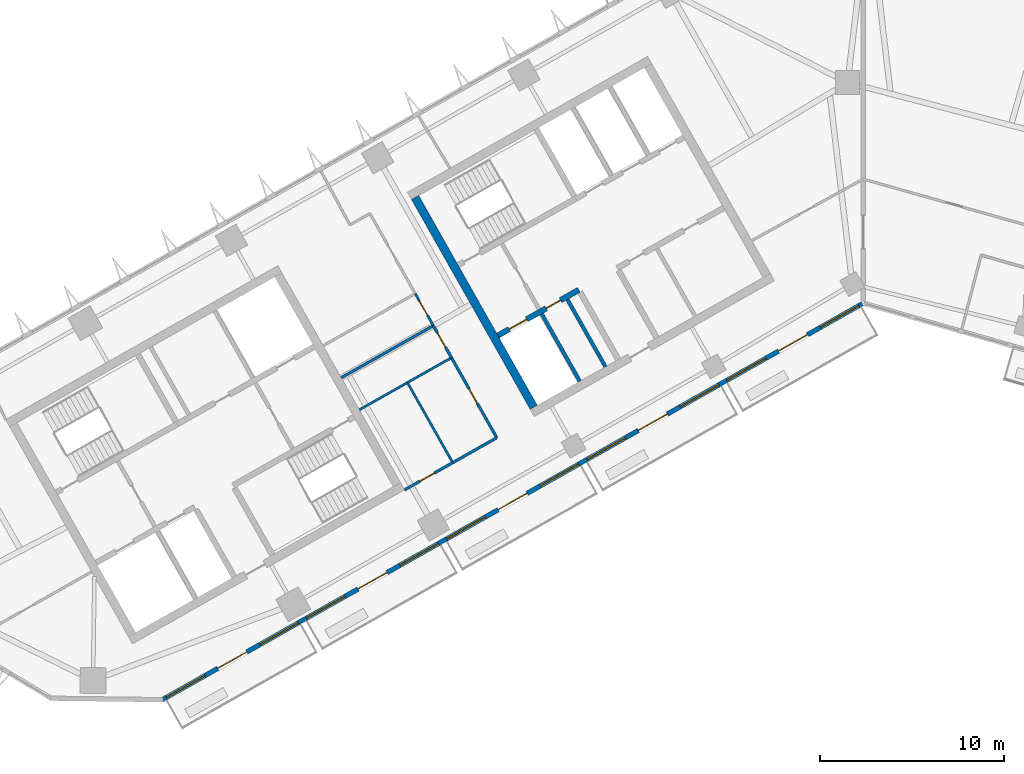
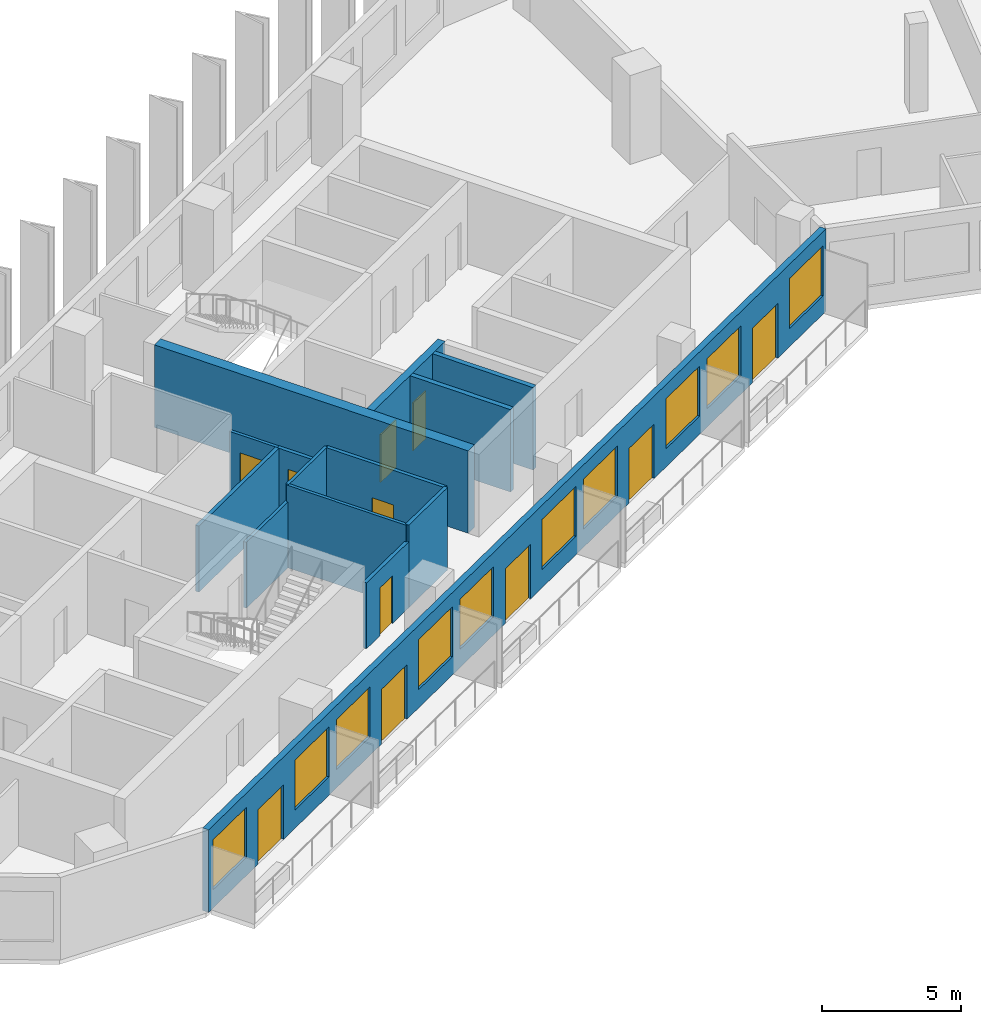
# One storey, part 5 of 12: 14 walls, 11 doors, 10 windows, 21 openings.
"""IFC4 building model written with IfcOpenShell, lengths in metres."""

import ifcopenshell
import ifcopenshell.guid

model = None  # the IFC model being written
_history = None  # IfcOwnerHistory: only IFC2X3 demands one
_inside = {}  # id of a spatial element -> (the spatial element, [elements in it])
_under = {}  # id of a project, library or spatial element -> (it, [spatial elements below it])
_declared = {}  # id of a project -> (the project, [libraries it declares])
_typed = {}  # id of a type object -> (the type object, [elements of that type])
_made_of = {}  # id of a material, layer set ... -> (it, [elements and type objects made of it])


def new_model(schema):
    """Start an empty IFC model of exactly this schema.

    Asked for "IFC4X3", IfcOpenShell would pick the latest addendum, in which some entities
    have other attributes; the version numbers below select the first issue.
    IFC2X3 requires an IfcOwnerHistory on every rooted entity: one is made here for all.
    """
    global model, _history
    if schema == "IFC4X3":
        model = ifcopenshell.file(schema_version=(4, 3, 0, 0))
    else:
        model = ifcopenshell.file(schema=schema)
    _inside.clear()
    _under.clear()
    _declared.clear()
    _typed.clear()
    _made_of.clear()
    _history = None
    if model.schema == "IFC2X3":
        org = make("IfcOrganization", Name="unknown")
        user = make(
            "IfcPersonAndOrganization",
            ThePerson=make("IfcPerson", FamilyName="unknown"),
            TheOrganization=org,
        )
        app = make(
            "IfcApplication",
            ApplicationDeveloper=org,
            Version="unknown",
            ApplicationFullName="unknown",
            ApplicationIdentifier="unknown",
        )
        _history = make(
            "IfcOwnerHistory",
            OwningUser=user,
            OwningApplication=app,
            ChangeAction="ADDED",
            CreationDate=0,
        )
    return model


def make(cls, **values):
    """One entity of the class cls with the attributes given. An attribute that is None is left unset."""
    return model.create_entity(
        cls, **{name: value for name, value in values.items() if value is not None}
    )


def rooted(cls, **values):
    """An entity with a GlobalId (a new one), such as an element, a storey or a relation."""
    return make(cls, GlobalId=ifcopenshell.guid.new(), OwnerHistory=_history, **values)


def si_unit(unit_type, name, prefix=None):
    """IfcSIUnit, for example si_unit("LENGTHUNIT", "METRE", prefix="MILLI")."""
    return make("IfcSIUnit", UnitType=unit_type, Prefix=prefix, Name=name)


def assignment(units):
    """IfcUnitAssignment: the units of a project."""
    return None if units is None else make("IfcUnitAssignment", Units=units)


def point(xyz):
    """IfcCartesianPoint."""
    return None if xyz is None else make("IfcCartesianPoint", Coordinates=xyz)


def direction(xyz):
    """IfcDirection."""
    return None if xyz is None else make("IfcDirection", DirectionRatios=xyz)


def frame(location, z_axis=None, x_axis=None):
    """IfcAxis2Placement3D, a coordinate frame: its origin and axes. An axis left out is left unset."""
    return make(
        "IfcAxis2Placement3D",
        Location=point(location),
        Axis=direction(z_axis),
        RefDirection=direction(x_axis),
    )


def frame_2d(location, x_axis=None):
    """IfcAxis2Placement2D, a coordinate frame in the plane: its origin and x axis."""
    return make(
        "IfcAxis2Placement2D", Location=point(location), RefDirection=direction(x_axis)
    )


def origin():
    """The frame at (0, 0, 0) with its axes left unset."""
    return frame((0.0, 0.0, 0.0))


def place(relative_to, where):
    """IfcLocalPlacement: puts the frame where relative to a parent placement (None: the world)."""
    return make(
        "IfcLocalPlacement", PlacementRelTo=relative_to, RelativePlacement=where
    )


def context(
    kind, dimensions, precision=None, world=None, true_north=None, identifier=None
):
    """IfcGeometricRepresentationContext, for example the 3D "Model" context."""
    return make(
        "IfcGeometricRepresentationContext",
        ContextIdentifier=identifier,
        ContextType=kind,
        CoordinateSpaceDimension=dimensions,
        Precision=precision,
        WorldCoordinateSystem=world,
        TrueNorth=true_north,
    )


def subcontext(parent, identifier, kind, view, scale=None):
    """IfcGeometricRepresentationSubContext, for example "Body" below "Model"."""
    return make(
        "IfcGeometricRepresentationSubContext",
        ContextIdentifier=identifier,
        ContextType=kind,
        ParentContext=parent,
        TargetScale=scale,
        TargetView=view,
    )


def project(units=None, contexts=None):
    """IfcProject with its units and contexts."""
    return rooted(
        "IfcProject",
        Name="project",
        RepresentationContexts=contexts,
        UnitsInContext=assignment(units),
    )


def spatial(cls, under=None, at=None, **own):
    """A site, building, storey or space (cls), placed at a placement, below another one or the project."""
    s = rooted(cls, ObjectPlacement=at, **own)
    if under is not None:
        _under.setdefault(under.id(), (under, []))[1].append(s)
    return s


def profile(cls, at=None, kind="AREA", **sizes):
    """A parametric profile (cls). Its sizes go by their IFC names, for example OverallWidth=200.0."""
    return make(cls, ProfileType=kind, Position=at, **sizes)


def rectangle(**sizes):
    """IfcRectangleProfileDef."""
    return profile("IfcRectangleProfileDef", **sizes)


def extrude(swept, where, along, depth):
    """IfcExtrudedAreaSolid: the profile swept, set in the frame where, extruded along a direction by depth."""
    return make(
        "IfcExtrudedAreaSolid",
        SweptArea=swept,
        Position=where,
        ExtrudedDirection=direction(along),
        Depth=depth,
    )


def shape(context_of_items, identifier, shape_type, items):
    """IfcShapeRepresentation: the items that make up one representation, for example the "Body"."""
    return make(
        "IfcShapeRepresentation",
        ContextOfItems=context_of_items,
        RepresentationIdentifier=identifier,
        RepresentationType=shape_type,
        Items=items,
    )


def material(Name=None, Category=None):
    """IfcMaterial."""
    return make("IfcMaterial", Name=Name, Category=Category)


def layer(
    of_material, thickness, ventilated=None, Name=None, Category=None, Priority=None
):
    """IfcMaterialLayer: one layer of a wall or slab, of a material (None: an air gap)."""
    return make(
        "IfcMaterialLayer",
        Material=of_material,
        LayerThickness=thickness,
        IsVentilated=ventilated,
        Name=Name,
        Category=Category,
        Priority=Priority,
    )


def layer_set(layers, Name=None):
    """IfcMaterialLayerSet."""
    return make("IfcMaterialLayerSet", MaterialLayers=layers, LayerSetName=Name)


def made_of(thing, what):
    """Note that an element or type object is made of a material, layer set ...; save() writes the relation."""
    if what is not None:
        _made_of.setdefault(what.id(), (what, []))[1].append(thing)
    return thing


def type_object(cls, material=None, **own):
    """A type object (cls), such as IfcWallType, which elements share."""
    return made_of(rooted(cls, **own), material)


def element(
    cls,
    number,
    at=None,
    inside=None,
    cuts=None,
    type_object=None,
    material=None,
    context=None,
    identifier="Body",
    shape_type=None,
    held_by="IfcProductDefinitionShape",
    body=None,
    shapes=None,
    **own,
):
    """One element of the class cls, such as IfcWall. Its Tag is "e" and its number.

    at: its placement. inside: the storey or other place that contains it. cuts: it is an
    opening in that element (IfcRelVoidsElement). A single representation is given by context,
    identifier, shape_type and body (its items); several are given by shapes. held_by: the class
    of the entity that holds the representations. save() writes the other relations.
    """
    e = rooted(cls, Tag="e%d" % number, ObjectPlacement=at, **own)
    if body is not None:
        shapes = [shape(context, identifier, shape_type, body)]
    if shapes is not None:
        e.Representation = make(held_by, Representations=shapes)
    if inside is not None:
        _inside.setdefault(inside.id(), (inside, []))[1].append(e)
    if cuts is not None:
        rooted(
            "IfcRelVoidsElement", RelatingBuildingElement=cuts, RelatedOpeningElement=e
        )
    if type_object is not None:
        _typed.setdefault(type_object.id(), (type_object, []))[1].append(e)
    return made_of(e, material)


def fill(opening, filler):
    """IfcRelFillsElement: the door or window that sits in an opening."""
    return rooted(
        "IfcRelFillsElement",
        RelatingOpeningElement=opening,
        RelatedBuildingElement=filler,
    )


def aggregate(whole, parts):
    """IfcRelAggregates: a whole, such as a stair, and the parts it consists of."""
    return rooted("IfcRelAggregates", RelatingObject=whole, RelatedObjects=parts)


def save(model, path):
    """Write the relations noted so far, then the file.

    IfcRelAggregates (storeys below a building ...), IfcRelContainedInSpatialStructure (elements
    in a storey), IfcRelDefinesByType, IfcRelAssociatesMaterial and IfcRelDeclares: one each for
    every whole, place, type object, material and project.
    """
    for whole, parts in _under.values():
        aggregate(whole, parts)
    for where, things in _inside.values():
        rooted(
            "IfcRelContainedInSpatialStructure",
            RelatedElements=things,
            RelatingStructure=where,
        )
    for kind, things in _typed.values():
        rooted("IfcRelDefinesByType", RelatedObjects=things, RelatingType=kind)
    for what, things in _made_of.values():
        rooted("IfcRelAssociatesMaterial", RelatedObjects=things, RelatingMaterial=what)
    for by, libraries in _declared.values():
        rooted("IfcRelDeclares", RelatingContext=by, RelatedDefinitions=libraries)
    model.write(path)


model = new_model("IFC4")

# Units and contexts
model_context = context("Model", 3, precision=1e-05, world=origin(), true_north=direction((0.0, 1.0)))
body_context = subcontext(model_context, "Body", "Model", "MODEL_VIEW")
ifc_project = project(units=[si_unit("LENGTHUNIT", "METRE"), si_unit("AREAUNIT", "SQUARE_METRE"), si_unit("VOLUMEUNIT", "CUBIC_METRE"), si_unit("PLANEANGLEUNIT", "RADIAN"), si_unit("MASSUNIT", "GRAM", prefix="KILO")], contexts=[model_context])

# Site, building, storey
site_placement = place(None, origin())
site = spatial("IfcSite", under=ifc_project, at=site_placement, CompositionType="ELEMENT")
building_placement = place(site_placement, origin())
building = spatial("IfcBuilding", under=site, at=building_placement, Name="Binnacle Exchange Tower", CompositionType="ELEMENT")
storey_placement = place(building_placement, frame((0.0, 0.0, 215.300048828125)))
storey = spatial("IfcBuildingStorey", under=building, at=storey_placement, Name="L47", CompositionType="ELEMENT", Elevation=215.300048828125)

# Wall, openings, doors
ifc_material_1 = material(Name="Concrete C70/85", Category="concrete")
ifc_layer_1 = layer(ifc_material_1, 0.300048828125)
ifc_layer_set_1 = layer_set([ifc_layer_1], Name="Core wall - front 300")
wall_type_1 = type_object("IfcWallType", Name="Core wall - front 300", PredefinedType="SOLIDWALL", material=ifc_layer_set_1)
wall_1_placement = place(storey_placement, frame((-19.8486328125, 46.242431640625, 0.0), z_axis=(0.0, 0.0, 1.0), x_axis=(0.870347559728, 0.492437940532, 0.0)))
wall_1 = element("IfcWall", 1, at=wall_1_placement, inside=storey, type_object=wall_type_1, Name="Core wall CRWC2", PredefinedType="SOLIDWALL", context=body_context, shape_type="SweptSolid", body=[
    extrude(rectangle(XDim=5.050048828125, YDim=0.300048828125, at=frame_2d((2.52490234375, 0.0))), origin(), (0.0, 0.0, 1.0), 3.619873046875),
])
opening_1_placement = place(wall_1_placement, frame((0.7001953125, 0.0, 0.0)))
opening_1 = element("IfcOpeningElement", 2, at=opening_1_placement, cuts=wall_1, Name="Opening LD14", PredefinedType="OPENING", context=body_context, shape_type="SweptSolid", body=[
    extrude(rectangle(XDim=1.10009765625, YDim=2.10009765625, at=frame_2d((0.550048828125, 1.050048828125))), frame((0.0, 0.159912109375, 0.0), z_axis=(0.0, -1.0, 0.0), x_axis=(1.0, 0.0, 0.0)), (0.0, 0.0, 1.0), 0.320068359375),
])
opening_2_placement = place(wall_1_placement, frame((3.0, 0.0, 0.0)))
opening_2 = element("IfcOpeningElement", 3, at=opening_2_placement, cuts=wall_1, Name="Opening DC14", PredefinedType="OPENING", context=body_context, shape_type="SweptSolid", body=[
    extrude(rectangle(XDim=0.89990234375, YDim=2.10009765625, at=frame_2d((0.449951171875, 1.050048828125))), frame((0.0, 0.159912109375, 0.0), z_axis=(0.0, -1.0, 0.0), x_axis=(1.0, 0.0, 0.0)), (0.0, 0.0, 1.0), 0.320068359375),
])
ifc_material_2 = material(Name="Steel door leaf", Category="steel")
door_type_1 = type_object("IfcDoorType", Name="Fire door - lift landing 1100", OperationType="NOTDEFINED", PredefinedType="DOOR", material=ifc_material_2)
door_1_placement = place(opening_1_placement, origin())
door_1 = element("IfcDoor", 4, at=door_1_placement, inside=storey, type_object=door_type_1, Name="Landing door LD14 L47", OperationType="DOUBLE_DOOR_SLIDING", OverallHeight=2.10009765625, OverallWidth=1.10009765625, PredefinedType="DOOR", context=body_context, shape_type="SweptSolid", body=[
    extrude(rectangle(XDim=1.10009765625, YDim=2.10009765625, at=frame_2d((0.550048828125, 1.050048828125))), frame((0.0, 0.02490234375, 0.0), z_axis=(0.0, -1.0, 0.0), x_axis=(1.0, 0.0, 0.0)), (0.0, 0.0, 1.0), 0.050048828125),
])
fill(opening_1, door_1)
door_type_2 = type_object("IfcDoorType", Name="Fire door 900", OperationType="NOTDEFINED", PredefinedType="DOOR", material=ifc_material_2)
door_2_placement = place(opening_2_placement, frame((0.89990234375, 0.0, 0.0), z_axis=(0.0, 0.0, 1.0), x_axis=(-1.0, 0.0, 0.0)))
door_2 = element("IfcDoor", 5, at=door_2_placement, inside=storey, type_object=door_type_2, Name="Core room door ELECTRICAL ROOM", OperationType="SINGLE_SWING_LEFT", OverallHeight=2.10009765625, OverallWidth=0.89990234375, PredefinedType="DOOR", context=body_context, shape_type="SweptSolid", body=[
    extrude(rectangle(XDim=0.89990234375, YDim=2.10009765625, at=frame_2d((0.449951171875, 1.050048828125))), frame((0.0, 0.02490234375, 0.0), z_axis=(0.0, -1.0, 0.0), x_axis=(1.0, 0.0, 0.0)), (0.0, 0.0, 1.0), 0.050048828125),
])
fill(opening_2, door_2)

# Wall
ifc_layer_2 = layer(ifc_material_1, 0.449951171875)
ifc_layer_set_2 = layer_set([ifc_layer_2], Name="Core wall - outer 450")
wall_type_2 = type_object("IfcWallType", Name="Core wall - outer 450", PredefinedType="SOLIDWALL", material=ifc_layer_set_2)
wall_2_placement = place(storey_placement, frame((-24.353271484375, 53.747314453125, 0.0), z_axis=(0.0, 0.0, 1.0), x_axis=(0.492435496286, -0.870348942665, 0.0)))
element("IfcWall", 6, at=wall_2_placement, inside=storey, type_object=wall_type_2, Name="Core wall CRWC7", PredefinedType="SOLIDWALL", context=body_context, shape_type="SweptSolid", body=[
    extrude(rectangle(XDim=13.10009765625, YDim=0.449951171875, at=frame_2d((6.550048828125, 0.0))), origin(), (0.0, 0.0, 1.0), 3.619873046875),
])

# Wall, openings, doors, windows
ifc_material_3 = material(Name="Bronze aluminium cladding", Category="aluminium")
ifc_layer_3 = layer(ifc_material_3, 0.25)
ifc_layer_set_3 = layer_set([ifc_layer_3], Name="External wall - window wall 250")
wall_type_3 = type_object("IfcWallType", Name="External wall - window wall 250", PredefinedType="STANDARD", material=ifc_layer_set_3)
wall_3_placement = place(storey_placement, frame((-0.045654296875, 47.97412109375, 0.0), z_axis=(0.0, 0.0, 1.0), x_axis=(-0.870356579543, -0.492421998337, 0.0)))
wall_3 = element("IfcWall", 7, at=wall_3_placement, inside=storey, type_object=wall_type_3, Name="External wall EW-G01 L47", PredefinedType="STANDARD", context=body_context, shape_type="SweptSolid", body=[
    extrude(rectangle(XDim=43.75390625, YDim=0.25, at=frame_2d((21.876953125, 0.0))), origin(), (0.0, 0.0, 1.0), 3.619873046875),
])
opening_3_placement = place(wall_3_placement, frame((41.061279296875, 0.0, 0.800048828125)))
opening_3 = element("IfcOpeningElement", 8, at=opening_3_placement, cuts=wall_3, Name="Opening WR1", PredefinedType="OPENING", context=body_context, shape_type="SweptSolid", body=[
    extrude(rectangle(XDim=2.39990234375, YDim=2.199951171875, at=frame_2d((1.199951171875, 1.10009765625))), frame((0.0, 0.135009765625, 0.0), z_axis=(0.0, -1.0, 0.0), x_axis=(1.0, 0.0, 0.0)), (0.0, 0.0, 1.0), 0.27001953125),
])
opening_4_placement = place(wall_3_placement, frame((38.443115234375, 0.0, 0.0)))
opening_4 = element("IfcOpeningElement", 9, at=opening_4_placement, cuts=wall_3, Name="Opening D-FS13-01", PredefinedType="OPENING", context=body_context, shape_type="SweptSolid", body=[
    extrude(rectangle(XDim=1.800048828125, YDim=2.39990234375, at=frame_2d((0.89990234375, 1.199951171875))), frame((0.0, 0.135009765625, 0.0), z_axis=(0.0, -1.0, 0.0), x_axis=(1.0, 0.0, 0.0)), (0.0, 0.0, 1.0), 0.27001953125),
])
opening_5_placement = place(wall_3_placement, frame((35.224853515625, 0.0, 0.800048828125)))
opening_5 = element("IfcOpeningElement", 10, at=opening_5_placement, cuts=wall_3, Name="Opening WR1", PredefinedType="OPENING", context=body_context, shape_type="SweptSolid", body=[
    extrude(rectangle(XDim=2.39990234375, YDim=2.199951171875, at=frame_2d((1.199951171875, 1.10009765625))), frame((0.0, 0.135009765625, 0.0), z_axis=(0.0, -1.0, 0.0), x_axis=(1.0, 0.0, 0.0)), (0.0, 0.0, 1.0), 0.27001953125),
])
opening_6_placement = place(wall_3_placement, frame((32.306640625, 0.0, 0.800048828125)))
opening_6 = element("IfcOpeningElement", 11, at=opening_6_placement, cuts=wall_3, Name="Opening WR1", PredefinedType="OPENING", context=body_context, shape_type="SweptSolid", body=[
    extrude(rectangle(XDim=2.39990234375, YDim=2.199951171875, at=frame_2d((1.199951171875, 1.10009765625))), frame((0.0, 0.135009765625, 0.0), z_axis=(0.0, -1.0, 0.0), x_axis=(1.0, 0.0, 0.0)), (0.0, 0.0, 1.0), 0.27001953125),
])
opening_7_placement = place(wall_3_placement, frame((29.6884765625, 0.0, 0.0)))
opening_7 = element("IfcOpeningElement", 12, at=opening_7_placement, cuts=wall_3, Name="Opening D-FS13-02", PredefinedType="OPENING", context=body_context, shape_type="SweptSolid", body=[
    extrude(rectangle(XDim=1.800048828125, YDim=2.39990234375, at=frame_2d((0.89990234375, 1.199951171875))), frame((0.0, 0.135009765625, 0.0), z_axis=(0.0, -1.0, 0.0), x_axis=(1.0, 0.0, 0.0)), (0.0, 0.0, 1.0), 0.27001953125),
])
opening_8_placement = place(wall_3_placement, frame((26.47021484375, 0.0, 0.800048828125)))
opening_8 = element("IfcOpeningElement", 13, at=opening_8_placement, cuts=wall_3, Name="Opening WR1", PredefinedType="OPENING", context=body_context, shape_type="SweptSolid", body=[
    extrude(rectangle(XDim=2.39990234375, YDim=2.199951171875, at=frame_2d((1.199951171875, 1.10009765625))), frame((0.0, 0.135009765625, 0.0), z_axis=(0.0, -1.0, 0.0), x_axis=(1.0, 0.0, 0.0)), (0.0, 0.0, 1.0), 0.27001953125),
])
opening_9_placement = place(wall_3_placement, frame((23.552001953125, 0.0, 0.800048828125)))
opening_9 = element("IfcOpeningElement", 14, at=opening_9_placement, cuts=wall_3, Name="Opening WR1", PredefinedType="OPENING", context=body_context, shape_type="SweptSolid", body=[
    extrude(rectangle(XDim=2.39990234375, YDim=2.199951171875, at=frame_2d((1.199951171875, 1.10009765625))), frame((0.0, 0.135009765625, 0.0), z_axis=(0.0, -1.0, 0.0), x_axis=(1.0, 0.0, 0.0)), (0.0, 0.0, 1.0), 0.27001953125),
])
opening_10_placement = place(wall_3_placement, frame((20.93408203125, 0.0, 0.0)))
opening_10 = element("IfcOpeningElement", 15, at=opening_10_placement, cuts=wall_3, Name="Opening D-FS13-03", PredefinedType="OPENING", context=body_context, shape_type="SweptSolid", body=[
    extrude(rectangle(XDim=1.7998046875, YDim=2.39990234375, at=frame_2d((0.89990234375, 1.199951171875))), frame((0.0, 0.135009765625, 0.0), z_axis=(0.0, -1.0, 0.0), x_axis=(1.0, 0.0, 0.0)), (0.0, 0.0, 1.0), 0.27001953125),
])
opening_11_placement = place(wall_3_placement, frame((17.7158203125, 0.0, 0.800048828125)))
opening_11 = element("IfcOpeningElement", 16, at=opening_11_placement, cuts=wall_3, Name="Opening WR1", PredefinedType="OPENING", context=body_context, shape_type="SweptSolid", body=[
    extrude(rectangle(XDim=2.39990234375, YDim=2.199951171875, at=frame_2d((1.199951171875, 1.10009765625))), frame((0.0, 0.135009765625, 0.0), z_axis=(0.0, -1.0, 0.0), x_axis=(1.0, 0.0, 0.0)), (0.0, 0.0, 1.0), 0.27001953125),
])
opening_12_placement = place(wall_3_placement, frame((14.797607421875, 0.0, 0.800048828125)))
opening_12 = element("IfcOpeningElement", 17, at=opening_12_placement, cuts=wall_3, Name="Opening WR1", PredefinedType="OPENING", context=body_context, shape_type="SweptSolid", body=[
    extrude(rectangle(XDim=2.39990234375, YDim=2.199951171875, at=frame_2d((1.199951171875, 1.10009765625))), frame((0.0, 0.135009765625, 0.0), z_axis=(0.0, -1.0, 0.0), x_axis=(1.0, 0.0, 0.0)), (0.0, 0.0, 1.0), 0.27001953125),
])
opening_13_placement = place(wall_3_placement, frame((12.179443359375, 0.0, 0.0)))
opening_13 = element("IfcOpeningElement", 18, at=opening_13_placement, cuts=wall_3, Name="Opening D-FS13-04", PredefinedType="OPENING", context=body_context, shape_type="SweptSolid", body=[
    extrude(rectangle(XDim=1.800048828125, YDim=2.39990234375, at=frame_2d((0.89990234375, 1.199951171875))), frame((0.0, 0.135009765625, 0.0), z_axis=(0.0, -1.0, 0.0), x_axis=(1.0, 0.0, 0.0)), (0.0, 0.0, 1.0), 0.27001953125),
])
opening_14_placement = place(wall_3_placement, frame((8.961181640625, 0.0, 0.800048828125)))
opening_14 = element("IfcOpeningElement", 19, at=opening_14_placement, cuts=wall_3, Name="Opening WR1", PredefinedType="OPENING", context=body_context, shape_type="SweptSolid", body=[
    extrude(rectangle(XDim=2.39990234375, YDim=2.199951171875, at=frame_2d((1.199951171875, 1.10009765625))), frame((0.0, 0.135009765625, 0.0), z_axis=(0.0, -1.0, 0.0), x_axis=(1.0, 0.0, 0.0)), (0.0, 0.0, 1.0), 0.27001953125),
])
opening_15_placement = place(wall_3_placement, frame((6.04296875, 0.0, 0.800048828125)))
opening_15 = element("IfcOpeningElement", 20, at=opening_15_placement, cuts=wall_3, Name="Opening WR1", PredefinedType="OPENING", context=body_context, shape_type="SweptSolid", body=[
    extrude(rectangle(XDim=2.400146484375, YDim=2.199951171875, at=frame_2d((1.2001953125, 1.10009765625))), frame((0.0, 0.135009765625, 0.0), z_axis=(0.0, -1.0, 0.0), x_axis=(1.0, 0.0, 0.0)), (0.0, 0.0, 1.0), 0.27001953125),
])
opening_16_placement = place(wall_3_placement, frame((3.4248046875, 0.0, 0.0)))
opening_16 = element("IfcOpeningElement", 21, at=opening_16_placement, cuts=wall_3, Name="Opening D-FS13-05", PredefinedType="OPENING", context=body_context, shape_type="SweptSolid", body=[
    extrude(rectangle(XDim=1.800048828125, YDim=2.39990234375, at=frame_2d((0.89990234375, 1.199951171875))), frame((0.0, 0.135009765625, 0.0), z_axis=(0.0, -1.0, 0.0), x_axis=(1.0, 0.0, 0.0)), (0.0, 0.0, 1.0), 0.27001953125),
])
opening_17_placement = place(wall_3_placement, frame((0.206787109375, 0.0, 0.800048828125)))
opening_17 = element("IfcOpeningElement", 22, at=opening_17_placement, cuts=wall_3, Name="Opening WR1", PredefinedType="OPENING", context=body_context, shape_type="SweptSolid", body=[
    extrude(rectangle(XDim=2.39990234375, YDim=2.199951171875, at=frame_2d((1.199951171875, 1.10009765625))), frame((0.0, 0.135009765625, 0.0), z_axis=(0.0, -1.0, 0.0), x_axis=(1.0, 0.0, 0.0)), (0.0, 0.0, 1.0), 0.27001953125),
])
ifc_material_4 = material(Name="Bronze anodised aluminium frame", Category="aluminium")
door_type_3 = type_object("IfcDoorType", Name="DB DOOR 1800x2400", OperationType="DOUBLE_DOOR_SINGLE_SWING", PredefinedType="DOOR", material=ifc_material_4)
door_3_placement = place(opening_4_placement, origin())
door_3 = element("IfcDoor", 23, at=door_3_placement, inside=storey, type_object=door_type_3, Name="Door D-FS13-01 L47", OperationType="DOUBLE_DOOR_SINGLE_SWING", OverallHeight=2.39990234375, OverallWidth=1.800048828125, PredefinedType="DOOR", context=body_context, shape_type="SweptSolid", body=[
    extrude(rectangle(XDim=1.800048828125, YDim=2.39990234375, at=frame_2d((0.89990234375, 1.199951171875))), frame((0.0, 0.02490234375, 0.0), z_axis=(0.0, -1.0, 0.0), x_axis=(1.0, 0.0, 0.0)), (0.0, 0.0, 1.0), 0.050048828125),
])
fill(opening_4, door_3)
door_4_placement = place(opening_7_placement, origin())
door_4 = element("IfcDoor", 24, at=door_4_placement, inside=storey, type_object=door_type_3, Name="Door D-FS13-02 L47", OperationType="DOUBLE_DOOR_SINGLE_SWING", OverallHeight=2.39990234375, OverallWidth=1.800048828125, PredefinedType="DOOR", context=body_context, shape_type="SweptSolid", body=[
    extrude(rectangle(XDim=1.800048828125, YDim=2.39990234375, at=frame_2d((0.89990234375, 1.199951171875))), frame((0.0, 0.02490234375, 0.0), z_axis=(0.0, -1.0, 0.0), x_axis=(1.0, 0.0, 0.0)), (0.0, 0.0, 1.0), 0.050048828125),
])
fill(opening_7, door_4)
door_5_placement = place(opening_10_placement, origin())
door_5 = element("IfcDoor", 25, at=door_5_placement, inside=storey, type_object=door_type_3, Name="Door D-FS13-03 L47", OperationType="DOUBLE_DOOR_SINGLE_SWING", OverallHeight=2.39990234375, OverallWidth=1.7998046875, PredefinedType="DOOR", context=body_context, shape_type="SweptSolid", body=[
    extrude(rectangle(XDim=1.7998046875, YDim=2.39990234375, at=frame_2d((0.89990234375, 1.199951171875))), frame((0.0, 0.02490234375, 0.0), z_axis=(0.0, -1.0, 0.0), x_axis=(1.0, 0.0, 0.0)), (0.0, 0.0, 1.0), 0.050048828125),
])
fill(opening_10, door_5)
door_6_placement = place(opening_13_placement, origin())
door_6 = element("IfcDoor", 26, at=door_6_placement, inside=storey, type_object=door_type_3, Name="Door D-FS13-04 L47", OperationType="DOUBLE_DOOR_SINGLE_SWING", OverallHeight=2.39990234375, OverallWidth=1.800048828125, PredefinedType="DOOR", context=body_context, shape_type="SweptSolid", body=[
    extrude(rectangle(XDim=1.800048828125, YDim=2.39990234375, at=frame_2d((0.89990234375, 1.199951171875))), frame((0.0, 0.02490234375, 0.0), z_axis=(0.0, -1.0, 0.0), x_axis=(1.0, 0.0, 0.0)), (0.0, 0.0, 1.0), 0.050048828125),
])
fill(opening_13, door_6)
door_7_placement = place(opening_16_placement, origin())
door_7 = element("IfcDoor", 27, at=door_7_placement, inside=storey, type_object=door_type_3, Name="Door D-FS13-05 L47", OperationType="DOUBLE_DOOR_SINGLE_SWING", OverallHeight=2.39990234375, OverallWidth=1.800048828125, PredefinedType="DOOR", context=body_context, shape_type="SweptSolid", body=[
    extrude(rectangle(XDim=1.800048828125, YDim=2.39990234375, at=frame_2d((0.89990234375, 1.199951171875))), frame((0.0, 0.02490234375, 0.0), z_axis=(0.0, -1.0, 0.0), x_axis=(1.0, 0.0, 0.0)), (0.0, 0.0, 1.0), 0.050048828125),
])
fill(opening_16, door_7)
window_type = type_object("IfcWindowType", Name="WR1 WINDOW 2400x2200", PartitioningType="SINGLE_PANEL", PredefinedType="WINDOW", material=ifc_material_4)
window_1_placement = place(opening_3_placement, origin())
window_1 = element("IfcWindow", 28, at=window_1_placement, inside=storey, type_object=window_type, Name="Window WR1 L47", OverallHeight=2.199951171875, OverallWidth=2.39990234375, PartitioningType="SINGLE_PANEL", PredefinedType="WINDOW", context=body_context, shape_type="SweptSolid", body=[
    extrude(rectangle(XDim=2.39990234375, YDim=2.199951171875, at=frame_2d((1.199951171875, 1.10009765625))), frame((0.0, 0.030029296875, 0.0), z_axis=(0.0, -1.0, 0.0), x_axis=(1.0, 0.0, 0.0)), (0.0, 0.0, 1.0), 0.06005859375),
])
fill(opening_3, window_1)
window_2_placement = place(opening_5_placement, origin())
window_2 = element("IfcWindow", 29, at=window_2_placement, inside=storey, type_object=window_type, Name="Window WR1 L47", OverallHeight=2.199951171875, OverallWidth=2.39990234375, PartitioningType="SINGLE_PANEL", PredefinedType="WINDOW", context=body_context, shape_type="SweptSolid", body=[
    extrude(rectangle(XDim=2.39990234375, YDim=2.199951171875, at=frame_2d((1.199951171875, 1.10009765625))), frame((0.0, 0.030029296875, 0.0), z_axis=(0.0, -1.0, 0.0), x_axis=(1.0, 0.0, 0.0)), (0.0, 0.0, 1.0), 0.06005859375),
])
fill(opening_5, window_2)
window_3_placement = place(opening_6_placement, origin())
window_3 = element("IfcWindow", 30, at=window_3_placement, inside=storey, type_object=window_type, Name="Window WR1 L47", OverallHeight=2.199951171875, OverallWidth=2.39990234375, PartitioningType="SINGLE_PANEL", PredefinedType="WINDOW", context=body_context, shape_type="SweptSolid", body=[
    extrude(rectangle(XDim=2.39990234375, YDim=2.199951171875, at=frame_2d((1.199951171875, 1.10009765625))), frame((0.0, 0.030029296875, 0.0), z_axis=(0.0, -1.0, 0.0), x_axis=(1.0, 0.0, 0.0)), (0.0, 0.0, 1.0), 0.06005859375),
])
fill(opening_6, window_3)
window_4_placement = place(opening_8_placement, origin())
window_4 = element("IfcWindow", 31, at=window_4_placement, inside=storey, type_object=window_type, Name="Window WR1 L47", OverallHeight=2.199951171875, OverallWidth=2.39990234375, PartitioningType="SINGLE_PANEL", PredefinedType="WINDOW", context=body_context, shape_type="SweptSolid", body=[
    extrude(rectangle(XDim=2.39990234375, YDim=2.199951171875, at=frame_2d((1.199951171875, 1.10009765625))), frame((0.0, 0.030029296875, 0.0), z_axis=(0.0, -1.0, 0.0), x_axis=(1.0, 0.0, 0.0)), (0.0, 0.0, 1.0), 0.06005859375),
])
fill(opening_8, window_4)
window_5_placement = place(opening_9_placement, origin())
window_5 = element("IfcWindow", 32, at=window_5_placement, inside=storey, type_object=window_type, Name="Window WR1 L47", OverallHeight=2.199951171875, OverallWidth=2.39990234375, PartitioningType="SINGLE_PANEL", PredefinedType="WINDOW", context=body_context, shape_type="SweptSolid", body=[
    extrude(rectangle(XDim=2.39990234375, YDim=2.199951171875, at=frame_2d((1.199951171875, 1.10009765625))), frame((0.0, 0.030029296875, 0.0), z_axis=(0.0, -1.0, 0.0), x_axis=(1.0, 0.0, 0.0)), (0.0, 0.0, 1.0), 0.06005859375),
])
fill(opening_9, window_5)
window_6_placement = place(opening_11_placement, origin())
window_6 = element("IfcWindow", 33, at=window_6_placement, inside=storey, type_object=window_type, Name="Window WR1 L47", OverallHeight=2.199951171875, OverallWidth=2.39990234375, PartitioningType="SINGLE_PANEL", PredefinedType="WINDOW", context=body_context, shape_type="SweptSolid", body=[
    extrude(rectangle(XDim=2.39990234375, YDim=2.199951171875, at=frame_2d((1.199951171875, 1.10009765625))), frame((0.0, 0.030029296875, 0.0), z_axis=(0.0, -1.0, 0.0), x_axis=(1.0, 0.0, 0.0)), (0.0, 0.0, 1.0), 0.06005859375),
])
fill(opening_11, window_6)
window_7_placement = place(opening_12_placement, origin())
window_7 = element("IfcWindow", 34, at=window_7_placement, inside=storey, type_object=window_type, Name="Window WR1 L47", OverallHeight=2.199951171875, OverallWidth=2.39990234375, PartitioningType="SINGLE_PANEL", PredefinedType="WINDOW", context=body_context, shape_type="SweptSolid", body=[
    extrude(rectangle(XDim=2.39990234375, YDim=2.199951171875, at=frame_2d((1.199951171875, 1.10009765625))), frame((0.0, 0.030029296875, 0.0), z_axis=(0.0, -1.0, 0.0), x_axis=(1.0, 0.0, 0.0)), (0.0, 0.0, 1.0), 0.06005859375),
])
fill(opening_12, window_7)
window_8_placement = place(opening_14_placement, origin())
window_8 = element("IfcWindow", 35, at=window_8_placement, inside=storey, type_object=window_type, Name="Window WR1 L47", OverallHeight=2.199951171875, OverallWidth=2.39990234375, PartitioningType="SINGLE_PANEL", PredefinedType="WINDOW", context=body_context, shape_type="SweptSolid", body=[
    extrude(rectangle(XDim=2.39990234375, YDim=2.199951171875, at=frame_2d((1.199951171875, 1.10009765625))), frame((0.0, 0.030029296875, 0.0), z_axis=(0.0, -1.0, 0.0), x_axis=(1.0, 0.0, 0.0)), (0.0, 0.0, 1.0), 0.06005859375),
])
fill(opening_14, window_8)
window_9_placement = place(opening_15_placement, origin())
window_9 = element("IfcWindow", 36, at=window_9_placement, inside=storey, type_object=window_type, Name="Window WR1 L47", OverallHeight=2.199951171875, OverallWidth=2.400146484375, PartitioningType="SINGLE_PANEL", PredefinedType="WINDOW", context=body_context, shape_type="SweptSolid", body=[
    extrude(rectangle(XDim=2.400146484375, YDim=2.199951171875, at=frame_2d((1.2001953125, 1.10009765625))), frame((0.0, 0.030029296875, 0.0), z_axis=(0.0, -1.0, 0.0), x_axis=(1.0, 0.0, 0.0)), (0.0, 0.0, 1.0), 0.06005859375),
])
fill(opening_15, window_9)
window_10_placement = place(opening_17_placement, origin())
window_10 = element("IfcWindow", 37, at=window_10_placement, inside=storey, type_object=window_type, Name="Window WR1 L47", OverallHeight=2.199951171875, OverallWidth=2.39990234375, PartitioningType="SINGLE_PANEL", PredefinedType="WINDOW", context=body_context, shape_type="SweptSolid", body=[
    extrude(rectangle(XDim=2.39990234375, YDim=2.199951171875, at=frame_2d((1.199951171875, 1.10009765625))), frame((0.0, 0.030029296875, 0.0), z_axis=(0.0, -1.0, 0.0), x_axis=(1.0, 0.0, 0.0)), (0.0, 0.0, 1.0), 0.06005859375),
])
fill(opening_17, window_10)

# Wall
ifc_material_5 = material(Name="Gypsum partition fire rated")
ifc_layer_4 = layer(ifc_material_5, 0.14990234375)
ifc_layer_set_4 = layer_set([ifc_layer_4], Name="Fire-rated partition 150")
wall_type_4 = type_object("IfcWallType", Name="Fire-rated partition 150", PredefinedType="PARTITIONING", material=ifc_layer_set_4)
wall_4_placement = place(storey_placement, frame((-28.365966796875, 43.951904296875, 0.0), z_axis=(0.0, 0.0, 1.0), x_axis=(0.870398309195, 0.492348233825, 0.0)))
element("IfcWall", 38, at=wall_4_placement, inside=storey, type_object=wall_type_4, Name="Partition W05", PredefinedType="PARTITIONING", context=body_context, shape_type="SweptSolid", body=[
    extrude(rectangle(XDim=5.75, YDim=0.14990234375, at=frame_2d((2.875, 0.0))), origin(), (0.0, 0.0, 1.0), 2.891845703125),
])

# Wall, opening, door
wall_5_placement = place(storey_placement, frame((-24.9189453125, 37.85888671875, 0.0), z_axis=(0.0, 0.0, 1.0), x_axis=(0.870368744559, 0.492400496034, 0.0)))
wall_5 = element("IfcWall", 39, at=wall_5_placement, inside=storey, type_object=wall_type_4, Name="Partition W09", PredefinedType="PARTITIONING", context=body_context, shape_type="SweptSolid", body=[
    extrude(rectangle(XDim=2.999755859375, YDim=0.14990234375, at=frame_2d((1.5, 0.0))), origin(), (0.0, 0.0, 1.0), 2.891845703125),
])
opening_18_placement = place(wall_5_placement, frame((0.949951171875, 0.0, 0.0)))
opening_18 = element("IfcOpeningElement", 40, at=opening_18_placement, cuts=wall_5, Name="Opening DL45-03", PredefinedType="OPENING", context=body_context, shape_type="SweptSolid", body=[
    extrude(rectangle(XDim=0.89990234375, YDim=2.10009765625, at=frame_2d((0.449951171875, 1.050048828125))), frame((0.0, 0.0849609375, 0.0), z_axis=(0.0, -1.0, 0.0), x_axis=(1.0, 0.0, 0.0)), (0.0, 0.0, 1.0), 0.169921875),
])
door_8_placement = place(opening_18_placement, origin())
door_8 = element("IfcDoor", 41, at=door_8_placement, inside=storey, type_object=door_type_2, Name="Door DL45-03", OperationType="SINGLE_SWING_LEFT", OverallHeight=2.10009765625, OverallWidth=0.89990234375, PredefinedType="DOOR", context=body_context, shape_type="SweptSolid", body=[
    extrude(rectangle(XDim=0.89990234375, YDim=2.10009765625, at=frame_2d((0.449951171875, 1.050048828125))), frame((0.0, 0.02490234375, 0.0), z_axis=(0.0, -1.0, 0.0), x_axis=(1.0, 0.0, 0.0)), (0.0, 0.0, 1.0), 0.050048828125),
])
fill(opening_18, door_8)

wall_6_placement = place(storey_placement, frame((-23.361083984375, 46.782958984375, 0.0), z_axis=(0.0, 0.0, 1.0), x_axis=(0.492467412326, -0.870330884088, 0.0)))
wall_6 = element("IfcWall", 42, at=wall_6_placement, inside=storey, type_object=wall_type_4, Name="Partition W14", PredefinedType="PARTITIONING", context=body_context, shape_type="SweptSolid", body=[
    extrude(rectangle(XDim=2.000244140625, YDim=0.14990234375, at=frame_2d((1.0, 0.0))), origin(), (0.0, 0.0, 1.0), 2.891845703125),
])
opening_19_placement = place(wall_6_placement, frame((0.449951171875, 0.0, 0.0)))
opening_19 = element("IfcOpeningElement", 43, at=opening_19_placement, cuts=wall_6, Name="Opening DL45-05", PredefinedType="OPENING", context=body_context, shape_type="SweptSolid", body=[
    extrude(rectangle(XDim=0.89990234375, YDim=2.10009765625, at=frame_2d((0.449951171875, 1.050048828125))), frame((0.0, 0.0849609375, 0.0), z_axis=(0.0, -1.0, 0.0), x_axis=(1.0, 0.0, 0.0)), (0.0, 0.0, 1.0), 0.169921875),
])
door_9_placement = place(opening_19_placement, frame((0.89990234375, 0.0, 0.0), z_axis=(0.0, 0.0, 1.0), x_axis=(-1.0, 0.0, 0.0)))
door_9 = element("IfcDoor", 44, at=door_9_placement, inside=storey, type_object=door_type_2, Name="Door DL45-05", OperationType="SINGLE_SWING_RIGHT", OverallHeight=2.10009765625, OverallWidth=0.89990234375, PredefinedType="DOOR", context=body_context, shape_type="SweptSolid", body=[
    extrude(rectangle(XDim=0.89990234375, YDim=2.10009765625, at=frame_2d((0.449951171875, 1.050048828125))), frame((0.0, 0.02490234375, 0.0), z_axis=(0.0, -1.0, 0.0), x_axis=(1.0, 0.0, 0.0)), (0.0, 0.0, 1.0), 0.050048828125),
])
fill(opening_19, door_9)

wall_7_placement = place(storey_placement, frame((-22.3759765625, 45.0419921875, 0.0), z_axis=(0.0, 0.0, 1.0), x_axis=(0.49245306389, -0.870339002841, 0.0)))
wall_7 = element("IfcWall", 45, at=wall_7_placement, inside=storey, type_object=wall_type_4, Name="Partition W15", PredefinedType="PARTITIONING", context=body_context, shape_type="SweptSolid", body=[
    extrude(rectangle(XDim=4.999267578125, YDim=0.14990234375, at=frame_2d((2.49951171875, 0.0))), origin(), (0.0, 0.0, 1.0), 3.619873046875),
])
opening_20_placement = place(wall_7_placement, frame((1.949951171875, 0.0, 0.0)))
opening_20 = element("IfcOpeningElement", 46, at=opening_20_placement, cuts=wall_7, Name="Opening DL45-04", PredefinedType="OPENING", context=body_context, shape_type="SweptSolid", body=[
    extrude(rectangle(XDim=0.89990234375, YDim=2.10009765625, at=frame_2d((0.449951171875, 1.050048828125))), frame((0.0, 0.0849609375, 0.0), z_axis=(0.0, -1.0, 0.0), x_axis=(1.0, 0.0, 0.0)), (0.0, 0.0, 1.0), 0.169921875),
])
door_10_placement = place(opening_20_placement, frame((0.89990234375, 0.0, 0.0), z_axis=(0.0, 0.0, 1.0), x_axis=(-1.0, 0.0, 0.0)))
door_10 = element("IfcDoor", 47, at=door_10_placement, inside=storey, type_object=door_type_2, Name="Door DL45-04", OperationType="SINGLE_SWING_RIGHT", OverallHeight=2.10009765625, OverallWidth=0.89990234375, PredefinedType="DOOR", context=body_context, shape_type="SweptSolid", body=[
    extrude(rectangle(XDim=0.89990234375, YDim=2.10009765625, at=frame_2d((0.449951171875, 1.050048828125))), frame((0.0, 0.02490234375, 0.0), z_axis=(0.0, -1.0, 0.0), x_axis=(1.0, 0.0, 0.0)), (0.0, 0.0, 1.0), 0.050048828125),
])
fill(opening_20, door_10)

# Walls
wall_8_placement = place(storey_placement, frame((-22.30810546875, 39.3359375, 0.0), z_axis=(0.0, 0.0, 1.0), x_axis=(0.870278389592, 0.492560173591, 0.0)))
element("IfcWall", 48, at=wall_8_placement, inside=storey, type_object=wall_type_4, Name="Partition W16", PredefinedType="PARTITIONING", context=body_context, shape_type="SweptSolid", body=[
    extrude(rectangle(XDim=2.7509765625, YDim=0.14990234375, at=frame_2d((1.37548828125, 0.0))), origin(), (0.0, 0.0, 1.0), 3.619873046875),
])
ifc_material_6 = material(Name="Gypsum partition")
ifc_layer_5 = layer(ifc_material_6, 0.125)
ifc_layer_set_5 = layer_set([ifc_layer_5], Name="Partition 125")
wall_type_5 = type_object("IfcWallType", Name="Partition 125", PredefinedType="PARTITIONING", material=ifc_layer_set_5)
wall_9_placement = place(storey_placement, frame((-27.381103515625, 42.2109375, 0.0), z_axis=(0.0, 0.0, 1.0), x_axis=(0.870388475779, 0.492365617434, 0.0)))
element("IfcWall", 49, at=wall_9_placement, inside=storey, type_object=wall_type_5, Name="Partition W07", PredefinedType="PARTITIONING", context=body_context, shape_type="SweptSolid", body=[
    extrude(rectangle(XDim=3.0, YDim=0.125, at=frame_2d((1.5, 0.0))), origin(), (0.0, 0.0, 1.0), 2.891845703125),
])
wall_10_placement = place(storey_placement, frame((-24.77001953125, 43.68798828125, 0.0), z_axis=(0.0, 0.0, 1.0), x_axis=(0.870430549821, 0.492291232848, 0.0)))
element("IfcWall", 50, at=wall_10_placement, inside=storey, type_object=wall_type_5, Name="Partition W10", PredefinedType="PARTITIONING", context=body_context, shape_type="SweptSolid", body=[
    extrude(rectangle(XDim=2.75048828125, YDim=0.125, at=frame_2d((1.375244140625, 0.0))), origin(), (0.0, 0.0, 1.0), 3.619873046875),
])
wall_11_placement = place(storey_placement, frame((-24.77001953125, 43.68798828125, 0.0), z_axis=(0.0, 0.0, 1.0), x_axis=(0.492369352746, -0.870386362759, 0.0)))
element("IfcWall", 51, at=wall_11_placement, inside=storey, type_object=wall_type_5, Name="Partition W11", PredefinedType="PARTITIONING", context=body_context, shape_type="SweptSolid", body=[
    extrude(rectangle(XDim=5.000244140625, YDim=0.125, at=frame_2d((2.5, 0.0))), origin(), (0.0, 0.0, 1.0), 3.619873046875),
])

# Wall, opening, door
wall_12_placement = place(storey_placement, frame((-24.345947265625, 48.52392578125, 0.0), z_axis=(0.0, 0.0, 1.0), x_axis=(0.492374954878, -0.870383193662, 0.0)))
wall_12 = element("IfcWall", 52, at=wall_12_placement, inside=storey, type_object=wall_type_5, Name="Partition W12", PredefinedType="PARTITIONING", context=body_context, shape_type="SweptSolid", body=[
    extrude(rectangle(XDim=2.000244140625, YDim=0.125, at=frame_2d((1.0, 0.0))), origin(), (0.0, 0.0, 1.0), 2.891845703125),
])
opening_21_placement = place(wall_12_placement, frame((0.449951171875, 0.0, 0.0)))
opening_21 = element("IfcOpeningElement", 53, at=opening_21_placement, cuts=wall_12, Name="Opening DL45-06", PredefinedType="OPENING", context=body_context, shape_type="SweptSolid", body=[
    extrude(rectangle(XDim=0.89990234375, YDim=2.10009765625, at=frame_2d((0.449951171875, 1.050048828125))), frame((0.0, 0.072509765625, 0.0), z_axis=(0.0, -1.0, 0.0), x_axis=(1.0, 0.0, 0.0)), (0.0, 0.0, 1.0), 0.14501953125),
])
ifc_material_7 = material(Name="Timber door leaf", Category="wood")
door_type_4 = type_object("IfcDoorType", Name="Door 900", OperationType="NOTDEFINED", PredefinedType="DOOR", material=ifc_material_7)
door_11_placement = place(opening_21_placement, frame((0.89990234375, 0.0, 0.0), z_axis=(0.0, 0.0, 1.0), x_axis=(-1.0, 0.0, 0.0)))
door_11 = element("IfcDoor", 54, at=door_11_placement, inside=storey, type_object=door_type_4, Name="Door DL45-06", OperationType="SINGLE_SWING_RIGHT", OverallHeight=2.10009765625, OverallWidth=0.89990234375, PredefinedType="DOOR", context=body_context, shape_type="SweptSolid", body=[
    extrude(rectangle(XDim=0.89990234375, YDim=2.10009765625, at=frame_2d((0.449951171875, 1.050048828125))), frame((0.0, 0.02490234375, 0.0), z_axis=(0.0, -1.0, 0.0), x_axis=(1.0, 0.0, 0.0)), (0.0, 0.0, 1.0), 0.050048828125),
])
fill(opening_21, door_11)

# Walls
ifc_material_8 = material(Name="Masonry block wall", Category="masonry")
ifc_layer_6 = layer(ifc_material_8, 0.199951171875)
ifc_layer_set_6 = layer_set([ifc_layer_6], Name="Riser wall 200")
wall_type_6 = type_object("IfcWallType", Name="Riser wall 200", PredefinedType="SOLIDWALL", material=ifc_layer_set_6)
wall_13_placement = place(storey_placement, frame((-16.07568359375, 48.20458984375, 0.0), z_axis=(0.0, 0.0, 1.0), x_axis=(0.49243456751, -0.870349468157, 0.0)))
element("IfcWall", 55, at=wall_13_placement, inside=storey, type_object=wall_type_6, Name="Core wall CRWC12", PredefinedType="SOLIDWALL", context=body_context, shape_type="SweptSolid", body=[
    extrude(rectangle(XDim=4.19970703125, YDim=0.199951171875, at=frame_2d((2.099853515625, 0.0))), origin(), (0.0, 0.0, 1.0), 3.619873046875),
])
ifc_layer_7 = layer(ifc_material_8, 0.199951171875)
ifc_layer_set_7 = layer_set([ifc_layer_7], Name="Shaft wall 200")
wall_type_7 = type_object("IfcWallType", Name="Shaft wall 200", PredefinedType="SOLIDWALL", material=ifc_layer_set_7)
wall_14_placement = place(storey_placement, frame((-17.468505859375, 47.416748046875, 0.0), z_axis=(0.0, 0.0, 1.0), x_axis=(0.492453686477, -0.870338650569, 0.0)))
element("IfcWall", 56, at=wall_14_placement, inside=storey, type_object=wall_type_7, Name="Core wall CRWC9", PredefinedType="SOLIDWALL", context=body_context, shape_type="SweptSolid", body=[
    extrude(rectangle(XDim=4.2001953125, YDim=0.199951171875, at=frame_2d((2.10009765625, 0.0))), origin(), (0.0, 0.0, 1.0), 3.619873046875),
])

save(model, "model.ifc")
